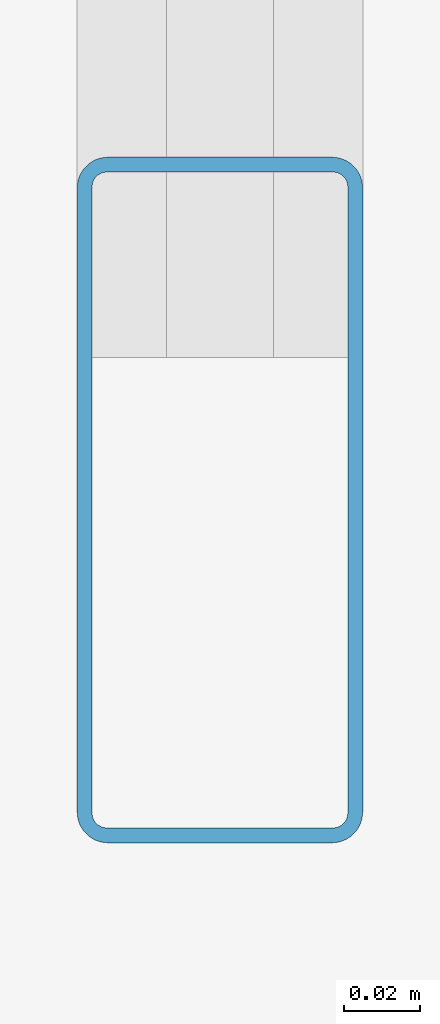
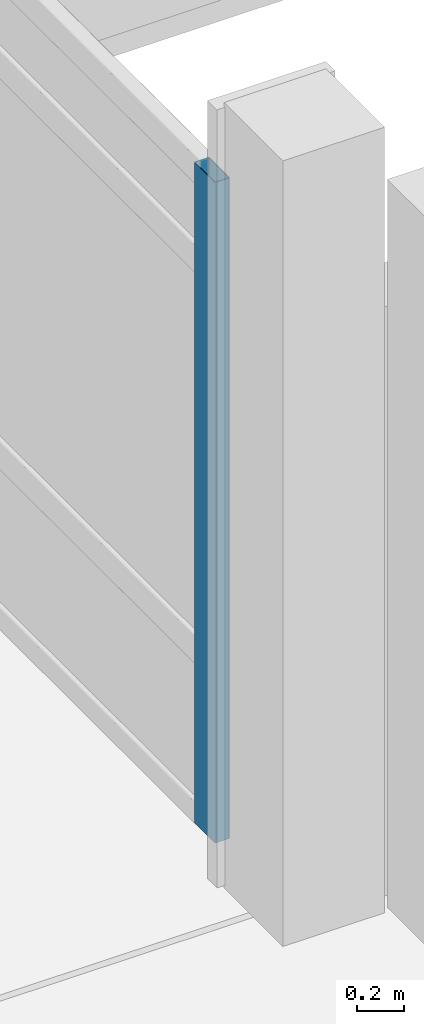
# One storey, part 7 of 72: 1 member, 1 element without a shape of its own.
"""IFC4 building model written with IfcOpenShell, lengths in metres."""

from ifc_helpers import new_model, si_unit, direction, frame, origin, origin_2d, place, context, subcontext, project, spatial, hollow_rectangle, extrude, material, layer, layer_set, material_profile, profile_set, type_object, element, aggregate, save


model = new_model("IFC4")

# Units and contexts
model_context = context("Model", 3, precision=1e-05, world=origin(), true_north=direction((0.0, 1.0)))
body_context = subcontext(model_context, "Body", "Model", "MODEL_VIEW")
ifc_project = project(units=[si_unit("LENGTHUNIT", "METRE"), si_unit("AREAUNIT", "SQUARE_METRE"), si_unit("VOLUMEUNIT", "CUBIC_METRE"), si_unit("PLANEANGLEUNIT", "RADIAN"), si_unit("MASSUNIT", "GRAM", prefix="KILO")], contexts=[model_context])

# Site, building, storey
site_placement = place(None, origin())
site = spatial("IfcSite", under=ifc_project, at=site_placement, CompositionType="ELEMENT")
building_placement = place(site_placement, origin())
building = spatial("IfcBuilding", under=site, at=building_placement, Name="Asteropetra Specialist Clinic", CompositionType="ELEMENT")
storey_placement = place(building_placement, frame((0.0, 0.0, 12.580078125)))
storey = spatial("IfcBuildingStorey", under=building, at=storey_placement, Name="L03", CompositionType="ELEMENT", Elevation=12.580078125)

# Curtain wall, member
ifc_material_1 = material(Name="Aluminium and low-E glass", Category="aluminium")
ifc_layer = layer(ifc_material_1, 0.135009765625)
ifc_layer_set = layer_set([ifc_layer], Name="Aluminium and low-E glass")
curtain_wall_type = type_object("IfcCurtainWallType", Name="CW-SYS-09", PredefinedType="USERDEFINED", material=ifc_layer_set)
curtain_wall_placement = place(storey_placement, origin())
curtain_wall = element("IfcCurtainWall", 1, at=curtain_wall_placement, inside=storey, type_object=curtain_wall_type, Name="Curtain Wall CW-108", ObjectType="STICK GLAZED COLONNADE", PredefinedType="USERDEFINED")
ifc_material_2 = material(Name="Aluminium 6063-T6", Category="aluminium")
ifc_material_profile = material_profile(ifc_material_2, hollow_rectangle(XDim=0.074951171875, YDim=0.179931640625, WallThickness=0.00390625, InnerFilletRadius=0.00390625, OuterFilletRadius=0.008056640625, at=origin_2d()), Name="MUL 180x75x4.0")
ifc_profile_set = profile_set([ifc_material_profile], Name="Aluminium 6063-T6")
member_type = type_object("IfcMemberType", Name="CWM-180x75", PredefinedType="MULLION", material=ifc_profile_set)
member_placement = place(storey_placement, frame((28.719970703125, 63.047607421875, 0.0), z_axis=(0.0, 0.0, 1.0), x_axis=(1.0, 0.0, 0.0)))
member = element("IfcMember", 2, at=member_placement, type_object=member_type, Name="CW-108 mullion 4", PredefinedType="MULLION", context=body_context, shape_type="SweptSolid", body=[
    extrude(hollow_rectangle(XDim=0.074951171875, YDim=0.179931640625, WallThickness=0.00390625, InnerFilletRadius=0.00390625, OuterFilletRadius=0.008056640625, at=origin_2d()), origin(), (0.0, 0.0, 1.0), 3.429931640625),
])
aggregate(curtain_wall, [member])

save(model, "model.ifc")
